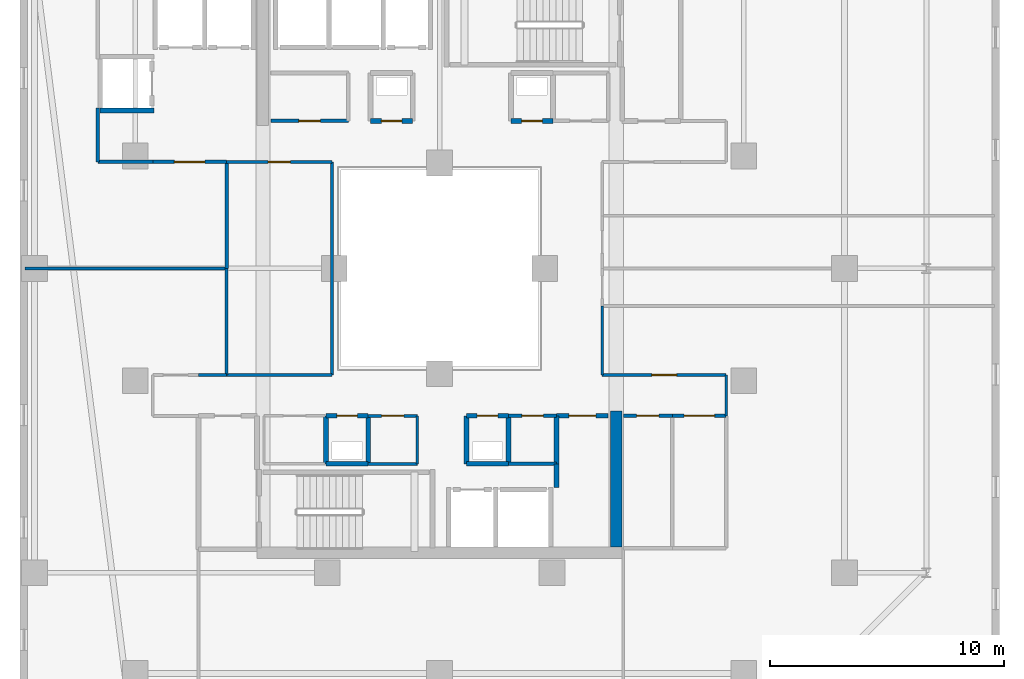
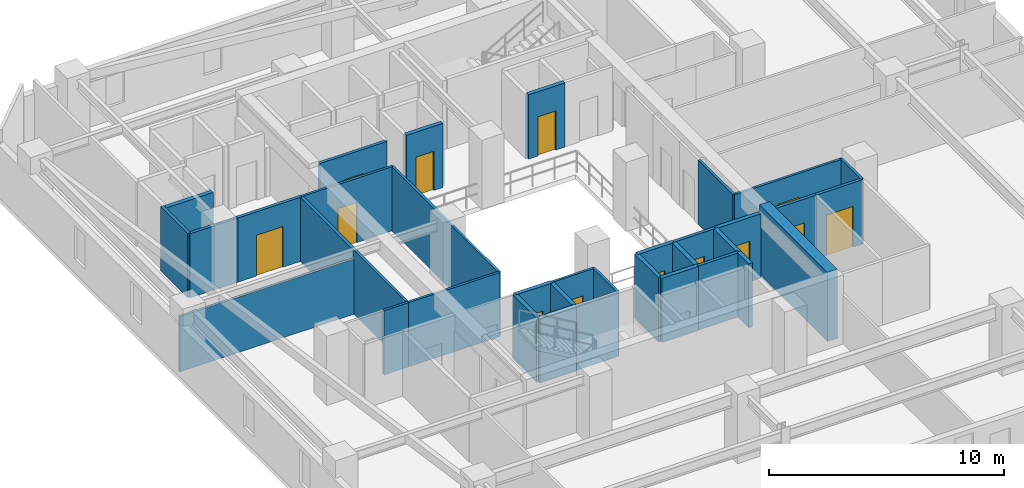
# One storey, part 20 of 33: 36 walls, 13 doors, 13 openings.
"""IFC4 building model written with IfcOpenShell, lengths in metres."""

from ifc_helpers import new_model, si_unit, direction, frame, frame_2d, origin, place, context, subcontext, project, spatial, rectangle, extrude, material, layer, layer_set, type_object, element, fill, save


model = new_model("IFC4")

# Units and contexts
model_context = context("Model", 3, precision=1e-05, world=origin(), true_north=direction((0.0, 1.0)))
body_context = subcontext(model_context, "Body", "Model", "MODEL_VIEW")
ifc_project = project(units=[si_unit("LENGTHUNIT", "METRE"), si_unit("AREAUNIT", "SQUARE_METRE"), si_unit("VOLUMEUNIT", "CUBIC_METRE"), si_unit("PLANEANGLEUNIT", "RADIAN"), si_unit("MASSUNIT", "GRAM", prefix="KILO")], contexts=[model_context])

# Site, building, storey
site_placement = place(None, origin())
site = spatial("IfcSite", under=ifc_project, at=site_placement, CompositionType="ELEMENT")
building_placement = place(site_placement, origin())
building = spatial("IfcBuilding", under=site, at=building_placement, Name="Thornwick Lancets Civic Towers", CompositionType="ELEMENT")
storey_placement = place(building_placement, frame((0.0, 0.0, 159.89990234375)))
storey = spatial("IfcBuildingStorey", under=building, at=storey_placement, Name="L42", CompositionType="ELEMENT", Elevation=159.89990234375)

# Walls
ifc_material_1 = material(Name="Concrete blockwork C40/50", Category="masonry")
ifc_layer_1 = layer(ifc_material_1, 0.199951171875, Name="Concrete blockwork C40/50")
ifc_layer_set_1 = layer_set([ifc_layer_1], Name="Concrete blockwork C40/50")
wall_type_1 = type_object("IfcWallType", Name="WALL_COMP_200", PredefinedType="STANDARD", material=ifc_layer_set_1)
wall_1_placement = place(storey_placement, frame((11.001953125, 33.75, 0.0), z_axis=(0.0, 0.0, 1.0), x_axis=(1.0, 0.0, 0.0)))
element("IfcWall", 1, at=wall_1_placement, inside=storey, type_object=wall_type_1, Name="L42 Hoistway Shaft Wall PL-AM3 S", PredefinedType="STANDARD", context=body_context, shape_type="SweptSolid", body=[
    extrude(rectangle(XDim=2.296142578125, YDim=0.199951171875, at=frame_2d((1.14794921875, 0.0))), origin(), (0.0, 0.0, 1.0), 3.340087890625),
])
wall_2_placement = place(storey_placement, frame((26.64990234375, 18.64990234375, 0.0), z_axis=(0.0, 0.0, 1.0), x_axis=(1.0, 0.0, 0.0)))
element("IfcWall", 2, at=wall_2_placement, inside=storey, type_object=wall_type_1, Name="L42 Partition L42-A-DUCT1 E1", PredefinedType="STANDARD", context=body_context, shape_type="SweptSolid", body=[
    extrude(rectangle(XDim=1.800048828125, YDim=0.199951171875, at=frame_2d((0.89990234375, 0.0))), origin(), (0.0, 0.0, 1.0), 3.340087890625),
])
wall_3_placement = place(storey_placement, frame((28.449951171875, 18.64990234375, 0.0), z_axis=(0.0, 0.0, 1.0), x_axis=(0.0, 1.0, 0.0)))
element("IfcWall", 3, at=wall_3_placement, inside=storey, type_object=wall_type_1, Name="L42 Partition L42-A-DUCT1 E2", PredefinedType="STANDARD", context=body_context, shape_type="SweptSolid", body=[
    extrude(rectangle(XDim=2.050048828125, YDim=0.199951171875, at=frame_2d((1.02490234375, 0.0))), origin(), (0.0, 0.0, 1.0), 3.340087890625),
])

# Wall, opening, door
wall_4_placement = place(storey_placement, frame((28.449951171875, 20.699951171875, 0.0), z_axis=(0.0, 0.0, 1.0), x_axis=(-1.0, 0.0, 0.0)))
wall_4 = element("IfcWall", 4, at=wall_4_placement, inside=storey, type_object=wall_type_1, Name="L42 Partition L42-A-DUCT1 E3", PredefinedType="STANDARD", context=body_context, shape_type="SweptSolid", body=[
    extrude(rectangle(XDim=1.800048828125, YDim=0.199951171875, at=frame_2d((0.89990234375, 0.0))), origin(), (0.0, 0.0, 1.0), 3.340087890625),
])
opening_1_placement = place(wall_4_placement, frame((0.4599609375, 0.0, 0.0)))
opening_1 = element("IfcOpeningElement", 5, at=opening_1_placement, cuts=wall_4, Name="Opening D-L42-1867", PredefinedType="OPENING", context=body_context, shape_type="SweptSolid", body=[
    extrude(rectangle(XDim=0.8798828125, YDim=2.0400390625, at=frame_2d((0.43994140625, 1.02001953125))), frame((0.0, 0.10986328125, 0.0), z_axis=(0.0, -1.0, 0.0), x_axis=(1.0, 0.0, 0.0)), (0.0, 0.0, 1.0), 0.219970703125),
])
ifc_material_2 = material(Name="Steel riser access doorset", Category="steel")
door_type_1 = type_object("IfcDoorType", Name="DOOR_RISER_850", OperationType="NOTDEFINED", PredefinedType="DOOR", material=ifc_material_2)
door_1_placement = place(opening_1_placement, origin())
door_1 = element("IfcDoor", 6, at=door_1_placement, inside=storey, type_object=door_type_1, Name="L42 South Service Duct 1 Door", OperationType="SINGLE_SWING_RIGHT", OverallHeight=2.0400390625, OverallWidth=0.8798828125, PredefinedType="DOOR", context=body_context, shape_type="SweptSolid", body=[
    extrude(rectangle(XDim=0.8798828125, YDim=2.0400390625, at=frame_2d((0.43994140625, 1.02001953125))), frame((0.0, 0.02490234375, 0.0), z_axis=(0.0, -1.0, 0.0), x_axis=(1.0, 0.0, 0.0)), (0.0, 0.0, 1.0), 0.050048828125),
])
fill(opening_1, door_1)

# Walls
wall_5_placement = place(storey_placement, frame((26.64990234375, 20.699951171875, 0.0), z_axis=(0.0, 0.0, 1.0), x_axis=(0.0, -1.0, 0.0)))
element("IfcWall", 7, at=wall_5_placement, inside=storey, type_object=wall_type_1, Name="L42 Partition L42-A-DUCT1 E4", PredefinedType="STANDARD", context=body_context, shape_type="SweptSolid", body=[
    extrude(rectangle(XDim=2.050048828125, YDim=0.199951171875, at=frame_2d((1.02490234375, 0.0))), origin(), (0.0, 0.0, 1.0), 3.340087890625),
])
wall_6_placement = place(storey_placement, frame((20.64990234375, 18.64990234375, 0.0), z_axis=(0.0, 0.0, 1.0), x_axis=(1.0, 0.0, 0.0)))
element("IfcWall", 8, at=wall_6_placement, inside=storey, type_object=wall_type_1, Name="L42 Partition L42-A-RISER1 E1", PredefinedType="STANDARD", context=body_context, shape_type="SweptSolid", body=[
    extrude(rectangle(XDim=1.800048828125, YDim=0.199951171875, at=frame_2d((0.89990234375, 0.0))), origin(), (0.0, 0.0, 1.0), 3.340087890625),
])
wall_7_placement = place(storey_placement, frame((22.449951171875, 18.64990234375, 0.0), z_axis=(0.0, 0.0, 1.0), x_axis=(0.0, 1.0, 0.0)))
element("IfcWall", 9, at=wall_7_placement, inside=storey, type_object=wall_type_1, Name="L42 Partition L42-A-RISER1 E2", PredefinedType="STANDARD", context=body_context, shape_type="SweptSolid", body=[
    extrude(rectangle(XDim=2.050048828125, YDim=0.199951171875, at=frame_2d((1.02490234375, 0.0))), origin(), (0.0, 0.0, 1.0), 3.340087890625),
])

# Wall, opening, door
wall_8_placement = place(storey_placement, frame((22.449951171875, 20.699951171875, 0.0), z_axis=(0.0, 0.0, 1.0), x_axis=(-1.0, 0.0, 0.0)))
wall_8 = element("IfcWall", 10, at=wall_8_placement, inside=storey, type_object=wall_type_1, Name="L42 Partition L42-A-RISER1 E3", PredefinedType="STANDARD", context=body_context, shape_type="SweptSolid", body=[
    extrude(rectangle(XDim=1.800048828125, YDim=0.199951171875, at=frame_2d((0.89990234375, 0.0))), origin(), (0.0, 0.0, 1.0), 3.340087890625),
])
opening_2_placement = place(wall_8_placement, frame((0.4599609375, 0.0, 0.0)))
opening_2 = element("IfcOpeningElement", 11, at=opening_2_placement, cuts=wall_8, Name="Opening D-L42-1868", PredefinedType="OPENING", context=body_context, shape_type="SweptSolid", body=[
    extrude(rectangle(XDim=0.8798828125, YDim=2.0400390625, at=frame_2d((0.43994140625, 1.02001953125))), frame((0.0, 0.10986328125, 0.0), z_axis=(0.0, -1.0, 0.0), x_axis=(1.0, 0.0, 0.0)), (0.0, 0.0, 1.0), 0.219970703125),
])
door_2_placement = place(opening_2_placement, origin())
door_2 = element("IfcDoor", 12, at=door_2_placement, inside=storey, type_object=door_type_1, Name="L42 South Electrical Riser 1 Door", OperationType="SINGLE_SWING_LEFT", OverallHeight=2.0400390625, OverallWidth=0.8798828125, PredefinedType="DOOR", context=body_context, shape_type="SweptSolid", body=[
    extrude(rectangle(XDim=0.8798828125, YDim=2.0400390625, at=frame_2d((0.43994140625, 1.02001953125))), frame((0.0, 0.02490234375, 0.0), z_axis=(0.0, -1.0, 0.0), x_axis=(1.0, 0.0, 0.0)), (0.0, 0.0, 1.0), 0.050048828125),
])
fill(opening_2, door_2)

# Wall
wall_9_placement = place(storey_placement, frame((20.64990234375, 20.699951171875, 0.0), z_axis=(0.0, 0.0, 1.0), x_axis=(0.0, -1.0, 0.0)))
element("IfcWall", 13, at=wall_9_placement, inside=storey, type_object=wall_type_1, Name="L42 Partition L42-A-RISER1 E4", PredefinedType="STANDARD", context=body_context, shape_type="SweptSolid", body=[
    extrude(rectangle(XDim=2.050048828125, YDim=0.199951171875, at=frame_2d((1.02490234375, 0.0))), origin(), (0.0, 0.0, 1.0), 3.340087890625),
])

# Wall, opening, door
wall_10_placement = place(storey_placement, frame((22.550048828125, 33.300048828125, 0.0), z_axis=(0.0, 0.0, 1.0), x_axis=(1.0, 0.0, 0.0)))
wall_10 = element("IfcWall", 14, at=wall_10_placement, inside=storey, type_object=wall_type_1, Name="L42 Partition L42-A-DUCT2 E1", PredefinedType="STANDARD", context=body_context, shape_type="SweptSolid", body=[
    extrude(rectangle(XDim=1.800048828125, YDim=0.199951171875, at=frame_2d((0.89990234375, 0.0))), origin(), (0.0, 0.0, 1.0), 3.340087890625),
])
opening_3_placement = place(wall_10_placement, frame((0.4599609375, 0.0, 0.0)))
opening_3 = element("IfcOpeningElement", 15, at=opening_3_placement, cuts=wall_10, Name="Opening D-L42-1869", PredefinedType="OPENING", context=body_context, shape_type="SweptSolid", body=[
    extrude(rectangle(XDim=0.8798828125, YDim=2.0400390625, at=frame_2d((0.43994140625, 1.02001953125))), frame((0.0, 0.10986328125, 0.0), z_axis=(0.0, -1.0, 0.0), x_axis=(1.0, 0.0, 0.0)), (0.0, 0.0, 1.0), 0.219970703125),
])
door_3_placement = place(opening_3_placement, origin())
door_3 = element("IfcDoor", 16, at=door_3_placement, inside=storey, type_object=door_type_1, Name="L42 North Service Duct 2 Door", OperationType="SINGLE_SWING_RIGHT", OverallHeight=2.0400390625, OverallWidth=0.8798828125, PredefinedType="DOOR", context=body_context, shape_type="SweptSolid", body=[
    extrude(rectangle(XDim=0.8798828125, YDim=2.0400390625, at=frame_2d((0.43994140625, 1.02001953125))), frame((0.0, 0.02490234375, 0.0), z_axis=(0.0, -1.0, 0.0), x_axis=(1.0, 0.0, 0.0)), (0.0, 0.0, 1.0), 0.050048828125),
])
fill(opening_3, door_3)

wall_11_placement = place(storey_placement, frame((28.550048828125, 33.300048828125, 0.0), z_axis=(0.0, 0.0, 1.0), x_axis=(1.0, 0.0, 0.0)))
wall_11 = element("IfcWall", 17, at=wall_11_placement, inside=storey, type_object=wall_type_1, Name="L42 Partition L42-A-RISER2 E1", PredefinedType="STANDARD", context=body_context, shape_type="SweptSolid", body=[
    extrude(rectangle(XDim=1.800048828125, YDim=0.199951171875, at=frame_2d((0.89990234375, 0.0))), origin(), (0.0, 0.0, 1.0), 3.340087890625),
])
opening_4_placement = place(wall_11_placement, frame((0.4599609375, 0.0, 0.0)))
opening_4 = element("IfcOpeningElement", 18, at=opening_4_placement, cuts=wall_11, Name="Opening D-L42-1870", PredefinedType="OPENING", context=body_context, shape_type="SweptSolid", body=[
    extrude(rectangle(XDim=0.8798828125, YDim=2.0400390625, at=frame_2d((0.43994140625, 1.02001953125))), frame((0.0, 0.10986328125, 0.0), z_axis=(0.0, -1.0, 0.0), x_axis=(1.0, 0.0, 0.0)), (0.0, 0.0, 1.0), 0.219970703125),
])
door_4_placement = place(opening_4_placement, origin())
door_4 = element("IfcDoor", 19, at=door_4_placement, inside=storey, type_object=door_type_1, Name="L42 North Service Riser 2 Door", OperationType="SINGLE_SWING_LEFT", OverallHeight=2.0400390625, OverallWidth=0.8798828125, PredefinedType="DOOR", context=body_context, shape_type="SweptSolid", body=[
    extrude(rectangle(XDim=0.8798828125, YDim=2.0400390625, at=frame_2d((0.43994140625, 1.02001953125))), frame((0.0, 0.02490234375, 0.0), z_axis=(0.0, -1.0, 0.0), x_axis=(1.0, 0.0, 0.0)), (0.0, 0.0, 1.0), 0.050048828125),
])
fill(opening_4, door_4)

# Walls
wall_12_placement = place(storey_placement, frame((30.5, 17.64794921875, 0.0), z_axis=(0.0, 0.0, 1.0), x_axis=(0.0, 1.0, 0.0)))
element("IfcWall", 20, at=wall_12_placement, inside=storey, type_object=wall_type_1, Name="L42 Partition L42-A-STR2 E3", PredefinedType="STANDARD", context=body_context, shape_type="SweptSolid", body=[
    extrude(rectangle(XDim=1.001953125, YDim=0.199951171875, at=frame_2d((0.5009765625, 0.0))), origin(), (0.0, 0.0, 1.0), 3.340087890625),
])
wall_13_placement = place(storey_placement, frame((30.5, 18.64990234375, 0.0), z_axis=(0.0, 0.0, 1.0), x_axis=(0.0, 1.0, 0.0)))
element("IfcWall", 21, at=wall_13_placement, inside=storey, type_object=wall_type_1, Name="L42 Partition L42-A-STR2 E4", PredefinedType="STANDARD", context=body_context, shape_type="SweptSolid", body=[
    extrude(rectangle(XDim=2.050048828125, YDim=0.199951171875, at=frame_2d((1.02490234375, 0.0))), origin(), (0.0, 0.0, 1.0), 3.340087890625),
])

# Wall, opening, door
wall_14_placement = place(storey_placement, frame((30.5, 20.699951171875, 0.0), z_axis=(0.0, 0.0, 1.0), x_axis=(1.0, 0.0, 0.0)))
wall_14 = element("IfcWall", 22, at=wall_14_placement, inside=storey, type_object=wall_type_1, Name="L42 Partition L42-A-STR2 E5", PredefinedType="STANDARD", context=body_context, shape_type="SweptSolid", body=[
    extrude(rectangle(XDim=2.199951171875, YDim=0.199951171875, at=frame_2d((1.10009765625, 0.0))), origin(), (0.0, 0.0, 1.0), 3.340087890625),
])
opening_5_placement = place(wall_14_placement, frame((0.52490234375, 0.0, 0.0)))
opening_5 = element("IfcOpeningElement", 23, at=opening_5_placement, cuts=wall_14, Name="Opening D-L42-1874", PredefinedType="OPENING", context=body_context, shape_type="SweptSolid", body=[
    extrude(rectangle(XDim=1.14990234375, YDim=2.10009765625, at=frame_2d((0.574951171875, 1.050048828125))), frame((0.0, 0.10986328125, 0.0), z_axis=(0.0, -1.0, 0.0), x_axis=(1.0, 0.0, 0.0)), (0.0, 0.0, 1.0), 0.219970703125),
])
ifc_material_3 = material(Name="Glazed fire-resisting steel", Category="steel")
door_type_2 = type_object("IfcDoorType", Name="DOOR_LOBBY_FD60", OperationType="NOTDEFINED", PredefinedType="DOOR", material=ifc_material_3)
door_5_placement = place(opening_5_placement, origin())
door_5 = element("IfcDoor", 24, at=door_5_placement, inside=storey, type_object=door_type_2, Name="L42 Tower A Core Supplies Store Door", OperationType="SINGLE_SWING_LEFT", OverallHeight=2.10009765625, OverallWidth=1.14990234375, PredefinedType="DOOR", context=body_context, shape_type="SweptSolid", body=[
    extrude(rectangle(XDim=1.14990234375, YDim=2.10009765625, at=frame_2d((0.574951171875, 1.050048828125))), frame((0.0, 0.02490234375, 0.0), z_axis=(0.0, -1.0, 0.0), x_axis=(1.0, 0.0, 0.0)), (0.0, 0.0, 1.0), 0.050048828125),
])
fill(opening_5, door_5)

# Walls
ifc_material_4 = material(Name="Concrete C50/60", Category="concrete")
ifc_layer_2 = layer(ifc_material_4, 0.5, Name="Concrete C50/60")
ifc_layer_set_2 = layer_set([ifc_layer_2], Name="Concrete C50/60")
wall_type_2 = type_object("IfcWallType", Name="WALL_CORE_500", PredefinedType="SHEAR", material=ifc_layer_set_2)
wall_15_placement = place(storey_placement, frame((33.050048828125, 15.10009765625, 0.0), z_axis=(0.0, 0.0, 1.0), x_axis=(0.0, 1.0, 0.0)))
element("IfcWall", 25, at=wall_15_placement, inside=storey, type_object=wall_type_2, Name="L42 Split Core A1 Shear Wall E", PredefinedType="SHEAR", context=body_context, shape_type="SweptSolid", body=[
    extrude(rectangle(XDim=5.7998046875, YDim=0.5, at=frame_2d((2.89990234375, 0.0))), origin(), (0.0, 0.0, 1.0), 3.60009765625),
])
ifc_material_5 = material(Name="Acoustic gypsum board partition")
ifc_layer_3 = layer(ifc_material_5, 0.1201171875, Name="Acoustic gypsum board partition")
ifc_layer_set_3 = layer_set([ifc_layer_3], Name="Acoustic gypsum board partition")
wall_type_3 = type_object("IfcWallType", Name="WALL_PART_120", PredefinedType="PARTITIONING", material=ifc_layer_set_3)
wall_16_placement = place(storey_placement, frame((24.550048828125, 20.699951171875, 0.0), z_axis=(0.0, 0.0, 1.0), x_axis=(0.0, -1.0, 0.0)))
element("IfcWall", 26, at=wall_16_placement, inside=storey, type_object=wall_type_3, Name="L42 Partition L42-A-ITR E1", PredefinedType="PARTITIONING", context=body_context, shape_type="SweptSolid", body=[
    extrude(rectangle(XDim=2.050048828125, YDim=0.1201171875, at=frame_2d((1.02490234375, 0.0))), origin(), (0.0, 0.0, 1.0), 3.340087890625),
])
wall_17_placement = place(storey_placement, frame((24.550048828125, 18.64990234375, 0.0), z_axis=(0.0, 0.0, 1.0), x_axis=(-1.0, 0.0, 0.0)))
element("IfcWall", 27, at=wall_17_placement, inside=storey, type_object=wall_type_3, Name="L42 Partition L42-A-ITR E2", PredefinedType="PARTITIONING", context=body_context, shape_type="SweptSolid", body=[
    extrude(rectangle(XDim=2.10009765625, YDim=0.1201171875, at=frame_2d((1.050048828125, 0.0))), origin(), (0.0, 0.0, 1.0), 3.340087890625),
])

# Wall, opening, door
wall_18_placement = place(storey_placement, frame((22.449951171875, 20.699951171875, 0.0), z_axis=(0.0, 0.0, 1.0), x_axis=(1.0, 0.0, 0.0)))
wall_18 = element("IfcWall", 28, at=wall_18_placement, inside=storey, type_object=wall_type_3, Name="L42 Partition L42-A-ITR E4", PredefinedType="PARTITIONING", context=body_context, shape_type="SweptSolid", body=[
    extrude(rectangle(XDim=2.10009765625, YDim=0.1201171875, at=frame_2d((1.050048828125, 0.0))), origin(), (0.0, 0.0, 1.0), 3.340087890625),
])
opening_6_placement = place(wall_18_placement, frame((0.574951171875, 0.0, 0.0)))
opening_6 = element("IfcOpeningElement", 29, at=opening_6_placement, cuts=wall_18, Name="Opening D-L42-1872", PredefinedType="OPENING", context=body_context, shape_type="SweptSolid", body=[
    extrude(rectangle(XDim=0.949951171875, YDim=2.10009765625, at=frame_2d((0.47509765625, 1.050048828125))), frame((0.0, 0.070068359375, 0.0), z_axis=(0.0, -1.0, 0.0), x_axis=(1.0, 0.0, 0.0)), (0.0, 0.0, 1.0), 0.14013671875),
])
ifc_material_6 = material(Name="European oak acoustic doorset")
door_type_3 = type_object("IfcDoorType", Name="DOOR_OFFICE_950", OperationType="NOTDEFINED", PredefinedType="DOOR", material=ifc_material_6)
door_6_placement = place(opening_6_placement, origin())
door_6 = element("IfcDoor", 30, at=door_6_placement, inside=storey, type_object=door_type_3, Name="L42 Tower A Comms Patch Room Door", OperationType="SINGLE_SWING_LEFT", OverallHeight=2.10009765625, OverallWidth=0.949951171875, PredefinedType="DOOR", context=body_context, shape_type="SweptSolid", body=[
    extrude(rectangle(XDim=0.949951171875, YDim=2.10009765625, at=frame_2d((0.47509765625, 1.050048828125))), frame((0.0, 0.02490234375, 0.0), z_axis=(0.0, -1.0, 0.0), x_axis=(1.0, 0.0, 0.0)), (0.0, 0.0, 1.0), 0.050048828125),
])
fill(opening_6, door_6)

# Walls
wall_19_placement = place(storey_placement, frame((16.39990234375, 27.0, 0.0), z_axis=(0.0, 0.0, 1.0), x_axis=(0.0, -1.0, 0.0)))
element("IfcWall", 31, at=wall_19_placement, inside=storey, type_object=wall_type_3, Name="L42 Partition L42-A-W1 E1", PredefinedType="PARTITIONING", context=body_context, shape_type="SweptSolid", body=[
    extrude(rectangle(XDim=4.550048828125, YDim=0.1201171875, at=frame_2d((2.27490234375, 0.0))), origin(), (0.0, 0.0, 1.0), 3.340087890625),
])
wall_20_placement = place(storey_placement, frame((16.39990234375, 22.449951171875, 0.0), z_axis=(0.0, 0.0, 1.0), x_axis=(-1.0, 0.0, 0.0)))
element("IfcWall", 32, at=wall_20_placement, inside=storey, type_object=wall_type_3, Name="L42 Partition L42-A-W1 E2", PredefinedType="PARTITIONING", context=body_context, shape_type="SweptSolid", body=[
    extrude(rectangle(XDim=1.199951171875, YDim=0.1201171875, at=frame_2d((0.60009765625, 0.0))), origin(), (0.0, 0.0, 1.0), 3.340087890625),
])
wall_21_placement = place(storey_placement, frame((7.780029296875, 27.0, 0.0), z_axis=(0.0, 0.0, 1.0), x_axis=(1.0, 0.0, 0.0)))
element("IfcWall", 33, at=wall_21_placement, inside=storey, type_object=wall_type_3, Name="L42 Partition L42-A-W1 E11", PredefinedType="PARTITIONING", context=body_context, shape_type="SweptSolid", body=[
    extrude(rectangle(XDim=8.619873046875, YDim=0.1201171875, at=frame_2d((4.31005859375, 0.0))), origin(), (0.0, 0.0, 1.0), 2.8779296875),
])

# Wall, opening, door
wall_22_placement = place(storey_placement, frame((16.39990234375, 31.550048828125, 0.0), z_axis=(0.0, 0.0, 1.0), x_axis=(1.0, 0.0, 0.0)))
wall_22 = element("IfcWall", 34, at=wall_22_placement, inside=storey, type_object=wall_type_3, Name="L42 Partition L42-A-W3 E3", PredefinedType="PARTITIONING", context=body_context, shape_type="SweptSolid", body=[
    extrude(rectangle(XDim=4.5, YDim=0.1201171875, at=frame_2d((2.25, 0.0))), origin(), (0.0, 0.0, 1.0), 3.340087890625),
])
opening_7_placement = place(wall_22_placement, frame((1.77490234375, 0.0, 0.0)))
opening_7 = element("IfcOpeningElement", 35, at=opening_7_placement, cuts=wall_22, Name="Opening D-L42-1893", PredefinedType="OPENING", context=body_context, shape_type="SweptSolid", body=[
    extrude(rectangle(XDim=0.949951171875, YDim=2.10009765625, at=frame_2d((0.47509765625, 1.050048828125))), frame((0.0, 0.070068359375, 0.0), z_axis=(0.0, -1.0, 0.0), x_axis=(1.0, 0.0, 0.0)), (0.0, 0.0, 1.0), 0.14013671875),
])
door_7_placement = place(opening_7_placement, origin())
door_7 = element("IfcDoor", 36, at=door_7_placement, inside=storey, type_object=door_type_3, Name="L42 Tower A West Atrium Reading Lounge Door", OperationType="SINGLE_SWING_RIGHT", OverallHeight=2.10009765625, OverallWidth=0.949951171875, PredefinedType="DOOR", context=body_context, shape_type="SweptSolid", body=[
    extrude(rectangle(XDim=0.949951171875, YDim=2.10009765625, at=frame_2d((0.47509765625, 1.050048828125))), frame((0.0, 0.02490234375, 0.0), z_axis=(0.0, -1.0, 0.0), x_axis=(1.0, 0.0, 0.0)), (0.0, 0.0, 1.0), 0.050048828125),
])
fill(opening_7, door_7)

# Walls
wall_23_placement = place(storey_placement, frame((20.89990234375, 31.550048828125, 0.0), z_axis=(0.0, 0.0, 1.0), x_axis=(0.0, -1.0, 0.0)))
element("IfcWall", 37, at=wall_23_placement, inside=storey, type_object=wall_type_3, Name="L42 Partition L42-A-W3 E4", PredefinedType="PARTITIONING", context=body_context, shape_type="SweptSolid", body=[
    extrude(rectangle(XDim=9.10009765625, YDim=0.1201171875, at=frame_2d((4.550048828125, 0.0))), origin(), (0.0, 0.0, 1.0), 3.340087890625),
])
wall_24_placement = place(storey_placement, frame((20.89990234375, 22.449951171875, 0.0), z_axis=(0.0, 0.0, 1.0), x_axis=(-1.0, 0.0, 0.0)))
element("IfcWall", 38, at=wall_24_placement, inside=storey, type_object=wall_type_3, Name="L42 Partition L42-A-W3 E5", PredefinedType="PARTITIONING", context=body_context, shape_type="SweptSolid", body=[
    extrude(rectangle(XDim=4.5, YDim=0.1201171875, at=frame_2d((2.25, 0.0))), origin(), (0.0, 0.0, 1.0), 3.340087890625),
])
wall_25_placement = place(storey_placement, frame((37.75, 20.699951171875, 0.0), z_axis=(0.0, 0.0, 1.0), x_axis=(0.0, 1.0, 0.0)))
element("IfcWall", 39, at=wall_25_placement, inside=storey, type_object=wall_type_3, Name="L42 Partition L42-A-E1 E6", PredefinedType="PARTITIONING", context=body_context, shape_type="SweptSolid", body=[
    extrude(rectangle(XDim=1.75, YDim=0.1201171875, at=frame_2d((0.875, 0.0))), origin(), (0.0, 0.0, 1.0), 3.340087890625),
])

# Wall, opening, door
wall_26_placement = place(storey_placement, frame((37.75, 22.449951171875, 0.0), z_axis=(0.0, 0.0, 1.0), x_axis=(-1.0, 0.0, 0.0)))
wall_26 = element("IfcWall", 40, at=wall_26_placement, inside=storey, type_object=wall_type_3, Name="L42 Partition L42-A-E1 E7", PredefinedType="PARTITIONING", context=body_context, shape_type="SweptSolid", body=[
    extrude(rectangle(XDim=5.300048828125, YDim=0.1201171875, at=frame_2d((2.64990234375, 0.0))), origin(), (0.0, 0.0, 1.0), 3.340087890625),
])
opening_8_placement = place(wall_26_placement, frame((2.125, 0.0, 0.0)))
opening_8 = element("IfcOpeningElement", 41, at=opening_8_placement, cuts=wall_26, Name="Opening D-L42-1894", PredefinedType="OPENING", context=body_context, shape_type="SweptSolid", body=[
    extrude(rectangle(XDim=1.050048828125, YDim=2.10009765625, at=frame_2d((0.52490234375, 1.050048828125))), frame((0.0, 0.070068359375, 0.0), z_axis=(0.0, -1.0, 0.0), x_axis=(1.0, 0.0, 0.0)), (0.0, 0.0, 1.0), 0.14013671875),
])
ifc_material_7 = material(Name="Glazed European oak executive doorset")
door_type_4 = type_object("IfcDoorType", Name="DOOR_OFFICE_1050", OperationType="NOTDEFINED", PredefinedType="DOOR", material=ifc_material_7)
door_8_placement = place(opening_8_placement, origin())
door_8 = element("IfcDoor", 42, at=door_8_placement, inside=storey, type_object=door_type_4, Name="L42 Tower A Secretariat Open Office E1 Door", OperationType="SINGLE_SWING_LEFT", OverallHeight=2.10009765625, OverallWidth=1.050048828125, PredefinedType="DOOR", context=body_context, shape_type="SweptSolid", body=[
    extrude(rectangle(XDim=1.050048828125, YDim=2.10009765625, at=frame_2d((0.52490234375, 1.050048828125))), frame((0.0, 0.02490234375, 0.0), z_axis=(0.0, -1.0, 0.0), x_axis=(1.0, 0.0, 0.0)), (0.0, 0.0, 1.0), 0.050048828125),
])
fill(opening_8, door_8)

# Walls
wall_27_placement = place(storey_placement, frame((32.449951171875, 22.449951171875, 0.0), z_axis=(0.0, 0.0, 1.0), x_axis=(0.0, 1.0, 0.0)))
element("IfcWall", 43, at=wall_27_placement, inside=storey, type_object=wall_type_3, Name="L42 Partition L42-A-E1 E8", PredefinedType="PARTITIONING", context=body_context, shape_type="SweptSolid", body=[
    extrude(rectangle(XDim=2.949951171875, YDim=0.1201171875, at=frame_2d((1.47509765625, 0.0))), origin(), (0.0, 0.0, 1.0), 3.340087890625),
])
ifc_material_8 = material(Name="Twin-stud acoustic gypsum board")
ifc_layer_4 = layer(ifc_material_8, 0.14990234375, Name="Twin-stud acoustic gypsum board")
ifc_layer_set_4 = layer_set([ifc_layer_4], Name="Twin-stud acoustic gypsum board")
wall_type_4 = type_object("IfcWallType", Name="WALL_PART_150", PredefinedType="PARTITIONING", material=ifc_layer_set_4)
wall_28_placement = place(storey_placement, frame((30.5, 18.64990234375, 0.0), z_axis=(0.0, 0.0, 1.0), x_axis=(-1.0, 0.0, 0.0)))
element("IfcWall", 44, at=wall_28_placement, inside=storey, type_object=wall_type_4, Name="L42 Partition L42-A-AWC E2", PredefinedType="PARTITIONING", context=body_context, shape_type="SweptSolid", body=[
    extrude(rectangle(XDim=2.050048828125, YDim=0.14990234375, at=frame_2d((1.02490234375, 0.0))), origin(), (0.0, 0.0, 1.0), 3.340087890625),
])

# Wall, opening, door
wall_29_placement = place(storey_placement, frame((28.449951171875, 20.699951171875, 0.0), z_axis=(0.0, 0.0, 1.0), x_axis=(1.0, 0.0, 0.0)))
wall_29 = element("IfcWall", 45, at=wall_29_placement, inside=storey, type_object=wall_type_4, Name="L42 Partition L42-A-AWC E4", PredefinedType="PARTITIONING", context=body_context, shape_type="SweptSolid", body=[
    extrude(rectangle(XDim=2.050048828125, YDim=0.14990234375, at=frame_2d((1.02490234375, 0.0))), origin(), (0.0, 0.0, 1.0), 3.340087890625),
])
opening_9_placement = place(wall_29_placement, frame((0.56494140625, 0.0, 0.0)))
opening_9 = element("IfcOpeningElement", 46, at=opening_9_placement, cuts=wall_29, Name="Opening D-L42-1873", PredefinedType="OPENING", context=body_context, shape_type="SweptSolid", body=[
    extrude(rectangle(XDim=0.919921875, YDim=2.080078125, at=frame_2d((0.4599609375, 1.0400390625))), frame((0.0, 0.0849609375, 0.0), z_axis=(0.0, -1.0, 0.0), x_axis=(1.0, 0.0, 0.0)), (0.0, 0.0, 1.0), 0.169921875),
])
ifc_material_9 = material(Name="Moisture-resistant oak doorset")
door_type_5 = type_object("IfcDoorType", Name="DOOR_WC_900", OperationType="NOTDEFINED", PredefinedType="DOOR", material=ifc_material_9)
door_9_placement = place(opening_9_placement, origin())
door_9 = element("IfcDoor", 47, at=door_9_placement, inside=storey, type_object=door_type_5, Name="L42 Tower A Accessible WC Door", OperationType="SINGLE_SWING_RIGHT", OverallHeight=2.080078125, OverallWidth=0.919921875, PredefinedType="DOOR", context=body_context, shape_type="SweptSolid", body=[
    extrude(rectangle(XDim=0.919921875, YDim=2.080078125, at=frame_2d((0.4599609375, 1.0400390625))), frame((0.0, 0.02490234375, 0.0), z_axis=(0.0, -1.0, 0.0), x_axis=(1.0, 0.0, 0.0)), (0.0, 0.0, 1.0), 0.050048828125),
])
fill(opening_9, door_9)

wall_30_placement = place(storey_placement, frame((18.300048828125, 33.300048828125, 0.0), z_axis=(0.0, 0.0, 1.0), x_axis=(1.0, 0.0, 0.0)))
wall_30 = element("IfcWall", 48, at=wall_30_placement, inside=storey, type_object=wall_type_4, Name="L42 Partition L42-A-MWC E1", PredefinedType="PARTITIONING", context=body_context, shape_type="SweptSolid", body=[
    extrude(rectangle(XDim=3.300048828125, YDim=0.14990234375, at=frame_2d((1.64990234375, 0.0))), origin(), (0.0, 0.0, 1.0), 3.340087890625),
])
opening_10_placement = place(wall_30_placement, frame((1.18994140625, 0.0, 0.0)))
opening_10 = element("IfcOpeningElement", 49, at=opening_10_placement, cuts=wall_30, Name="Opening D-L42-1875", PredefinedType="OPENING", context=body_context, shape_type="SweptSolid", body=[
    extrude(rectangle(XDim=0.919921875, YDim=2.080078125, at=frame_2d((0.4599609375, 1.0400390625))), frame((0.0, 0.0849609375, 0.0), z_axis=(0.0, -1.0, 0.0), x_axis=(1.0, 0.0, 0.0)), (0.0, 0.0, 1.0), 0.169921875),
])
door_10_placement = place(opening_10_placement, origin())
door_10 = element("IfcDoor", 50, at=door_10_placement, inside=storey, type_object=door_type_5, Name="L42 Tower A Male WC Door", OperationType="SINGLE_SWING_RIGHT", OverallHeight=2.080078125, OverallWidth=0.919921875, PredefinedType="DOOR", context=body_context, shape_type="SweptSolid", body=[
    extrude(rectangle(XDim=0.919921875, YDim=2.080078125, at=frame_2d((0.4599609375, 1.0400390625))), frame((0.0, 0.02490234375, 0.0), z_axis=(0.0, -1.0, 0.0), x_axis=(1.0, 0.0, 0.0)), (0.0, 0.0, 1.0), 0.050048828125),
])
fill(opening_10, door_10)

wall_31_placement = place(storey_placement, frame((33.35009765625, 20.699951171875, 0.0), z_axis=(0.0, 0.0, 1.0), x_axis=(1.0, 0.0, 0.0)))
wall_31 = element("IfcWall", 51, at=wall_31_placement, inside=storey, type_object=wall_type_4, Name="L42 Partition L42-A-RECLAIM-L1 E3", PredefinedType="PARTITIONING", context=body_context, shape_type="SweptSolid", body=[
    extrude(rectangle(XDim=2.099853515625, YDim=0.14990234375, at=frame_2d((1.0498046875, 0.0))), origin(), (0.0, 0.0, 1.0), 3.340087890625),
])
opening_11_placement = place(wall_31_placement, frame((0.574951171875, 0.0, 0.0)))
opening_11 = element("IfcOpeningElement", 52, at=opening_11_placement, cuts=wall_31, Name="Opening D-L42-1889", PredefinedType="OPENING", context=body_context, shape_type="SweptSolid", body=[
    extrude(rectangle(XDim=0.949951171875, YDim=2.10009765625, at=frame_2d((0.47509765625, 1.050048828125))), frame((0.0, 0.0849609375, 0.0), z_axis=(0.0, -1.0, 0.0), x_axis=(1.0, 0.0, 0.0)), (0.0, 0.0, 1.0), 0.169921875),
])
door_11_placement = place(opening_11_placement, origin())
door_11 = element("IfcDoor", 53, at=door_11_placement, inside=storey, type_object=door_type_3, Name="L42 Tower A Policy Archive Door", OperationType="SINGLE_SWING_RIGHT", OverallHeight=2.10009765625, OverallWidth=0.949951171875, PredefinedType="DOOR", context=body_context, shape_type="SweptSolid", body=[
    extrude(rectangle(XDim=0.949951171875, YDim=2.10009765625, at=frame_2d((0.47509765625, 1.050048828125))), frame((0.0, 0.02490234375, 0.0), z_axis=(0.0, -1.0, 0.0), x_axis=(1.0, 0.0, 0.0)), (0.0, 0.0, 1.0), 0.050048828125),
])
fill(opening_11, door_11)

wall_32_placement = place(storey_placement, frame((35.449951171875, 20.699951171875, 0.0), z_axis=(0.0, 0.0, 1.0), x_axis=(1.0, 0.0, 0.0)))
wall_32 = element("IfcWall", 54, at=wall_32_placement, inside=storey, type_object=wall_type_4, Name="L42 Partition L42-A-RECLAIM-L2 E3", PredefinedType="PARTITIONING", context=body_context, shape_type="SweptSolid", body=[
    extrude(rectangle(XDim=2.300048828125, YDim=0.14990234375, at=frame_2d((1.14990234375, 0.0))), origin(), (0.0, 0.0, 1.0), 3.340087890625),
])
opening_12_placement = place(wall_32_placement, frame((0.5, 0.0, 0.0)))
opening_12 = element("IfcOpeningElement", 55, at=opening_12_placement, cuts=wall_32, Name="Opening D-L42-1890", PredefinedType="OPENING", context=body_context, shape_type="SweptSolid", body=[
    extrude(rectangle(XDim=1.300048828125, YDim=2.1201171875, at=frame_2d((0.64990234375, 1.06005859375))), frame((0.0, 0.0849609375, 0.0), z_axis=(0.0, -1.0, 0.0), x_axis=(1.0, 0.0, 0.0)), (0.0, 0.0, 1.0), 0.169921875),
])
ifc_material_10 = material(Name="Acoustic oak leaf-and-a-half doorset")
door_type_6 = type_object("IfcDoorType", Name="DOOR_MEET_1300", OperationType="DOUBLE_DOOR_SINGLE_SWING", PredefinedType="DOOR", material=ifc_material_10)
door_12_placement = place(opening_12_placement, origin())
door_12 = element("IfcDoor", 56, at=door_12_placement, inside=storey, type_object=door_type_6, Name="L42 Tower A Ministerial Consultation Room Door", OperationType="DOUBLE_DOOR_SINGLE_SWING", OverallHeight=2.1201171875, OverallWidth=1.300048828125, PredefinedType="DOOR", context=body_context, shape_type="SweptSolid", body=[
    extrude(rectangle(XDim=1.300048828125, YDim=2.1201171875, at=frame_2d((0.64990234375, 1.06005859375))), frame((0.0, 0.02490234375, 0.0), z_axis=(0.0, -1.0, 0.0), x_axis=(1.0, 0.0, 0.0)), (0.0, 0.0, 1.0), 0.050048828125),
])
fill(opening_12, door_12)

wall_33_placement = place(storey_placement, frame((13.25, 31.550048828125, 0.0), z_axis=(0.0, 0.0, 1.0), x_axis=(1.0, 0.0, 0.0)))
wall_33 = element("IfcWall", 57, at=wall_33_placement, inside=storey, type_object=wall_type_4, Name="L42 Partition L42-A-W2 E1", PredefinedType="PARTITIONING", context=body_context, shape_type="SweptSolid", body=[
    extrude(rectangle(XDim=3.14990234375, YDim=0.14990234375, at=frame_2d((1.574951171875, 0.0))), origin(), (0.0, 0.0, 1.0), 3.340087890625),
])
opening_13_placement = place(wall_33_placement, frame((0.925048828125, 0.0, 0.0)))
opening_13 = element("IfcOpeningElement", 58, at=opening_13_placement, cuts=wall_33, Name="Opening D-L42-1892", PredefinedType="OPENING", context=body_context, shape_type="SweptSolid", body=[
    extrude(rectangle(XDim=1.300048828125, YDim=2.1201171875, at=frame_2d((0.64990234375, 1.06005859375))), frame((0.0, 0.0849609375, 0.0), z_axis=(0.0, -1.0, 0.0), x_axis=(1.0, 0.0, 0.0)), (0.0, 0.0, 1.0), 0.169921875),
])
door_13_placement = place(opening_13_placement, origin())
door_13 = element("IfcDoor", 59, at=door_13_placement, inside=storey, type_object=door_type_6, Name="L42 Tower A Policy Briefing Room W2 Door", OperationType="DOUBLE_DOOR_SINGLE_SWING", OverallHeight=2.1201171875, OverallWidth=1.300048828125, PredefinedType="DOOR", context=body_context, shape_type="SweptSolid", body=[
    extrude(rectangle(XDim=1.300048828125, YDim=2.1201171875, at=frame_2d((0.64990234375, 1.06005859375))), frame((0.0, 0.02490234375, 0.0), z_axis=(0.0, -1.0, 0.0), x_axis=(1.0, 0.0, 0.0)), (0.0, 0.0, 1.0), 0.050048828125),
])
fill(opening_13, door_13)

# Walls
wall_34_placement = place(storey_placement, frame((16.39990234375, 31.550048828125, 0.0), z_axis=(0.0, 0.0, 1.0), x_axis=(0.0, -1.0, 0.0)))
element("IfcWall", 60, at=wall_34_placement, inside=storey, type_object=wall_type_4, Name="L42 Partition L42-A-W2 E2", PredefinedType="PARTITIONING", context=body_context, shape_type="SweptSolid", body=[
    extrude(rectangle(XDim=4.550048828125, YDim=0.14990234375, at=frame_2d((2.27490234375, 0.0))), origin(), (0.0, 0.0, 1.0), 3.340087890625),
])
wall_35_placement = place(storey_placement, frame((10.89990234375, 33.862060546875, 0.0), z_axis=(0.0, 0.0, 1.0), x_axis=(0.0, -1.0, 0.0)))
element("IfcWall", 61, at=wall_35_placement, inside=storey, type_object=wall_type_4, Name="L42 Partition L42-A-W2 E7", PredefinedType="PARTITIONING", context=body_context, shape_type="SweptSolid", body=[
    extrude(rectangle(XDim=2.31201171875, YDim=0.14990234375, at=frame_2d((1.156005859375, 0.0))), origin(), (0.0, 0.0, 1.0), 3.340087890625),
])
wall_36_placement = place(storey_placement, frame((10.89990234375, 31.550048828125, 0.0), z_axis=(0.0, 0.0, 1.0), x_axis=(1.0, 0.0, 0.0)))
element("IfcWall", 62, at=wall_36_placement, inside=storey, type_object=wall_type_4, Name="L42 Partition L42-A-W2 E8", PredefinedType="PARTITIONING", context=body_context, shape_type="SweptSolid", body=[
    extrude(rectangle(XDim=2.35009765625, YDim=0.14990234375, at=frame_2d((1.175048828125, 0.0))), origin(), (0.0, 0.0, 1.0), 3.340087890625),
])

save(model, "model.ifc")
